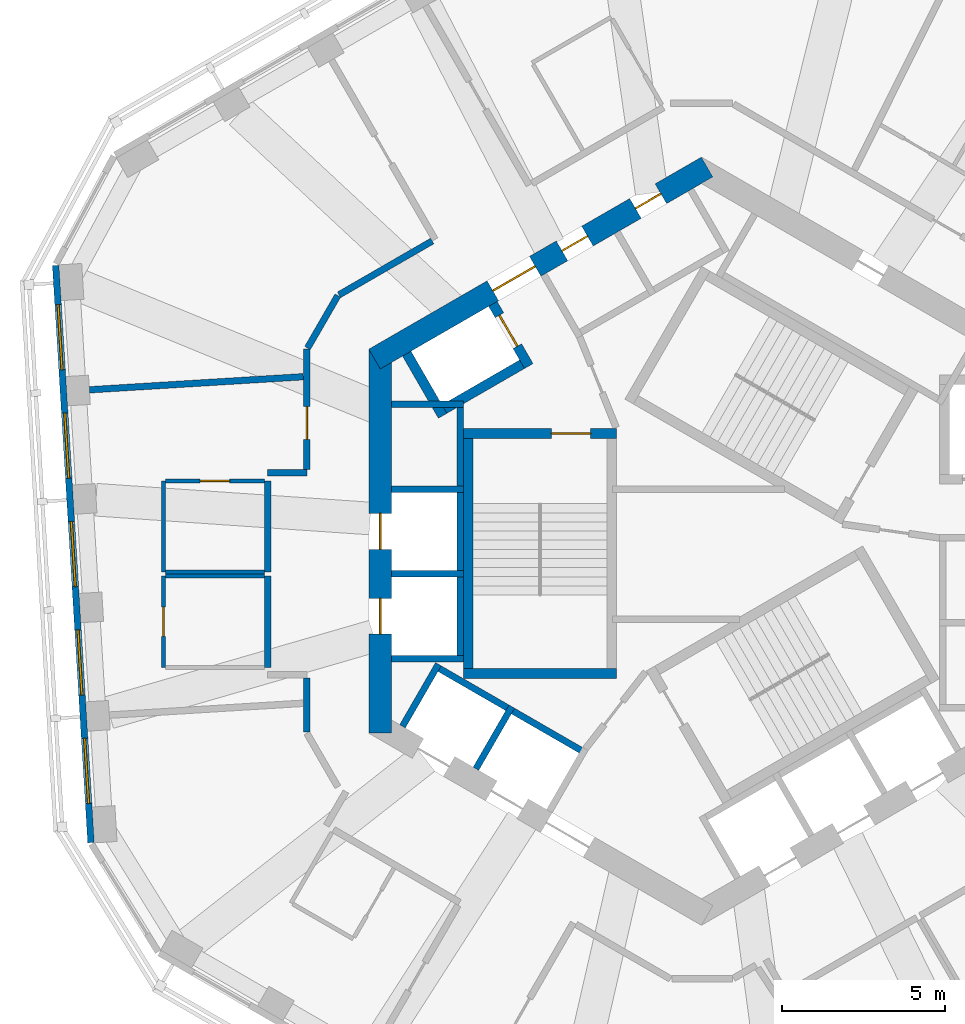
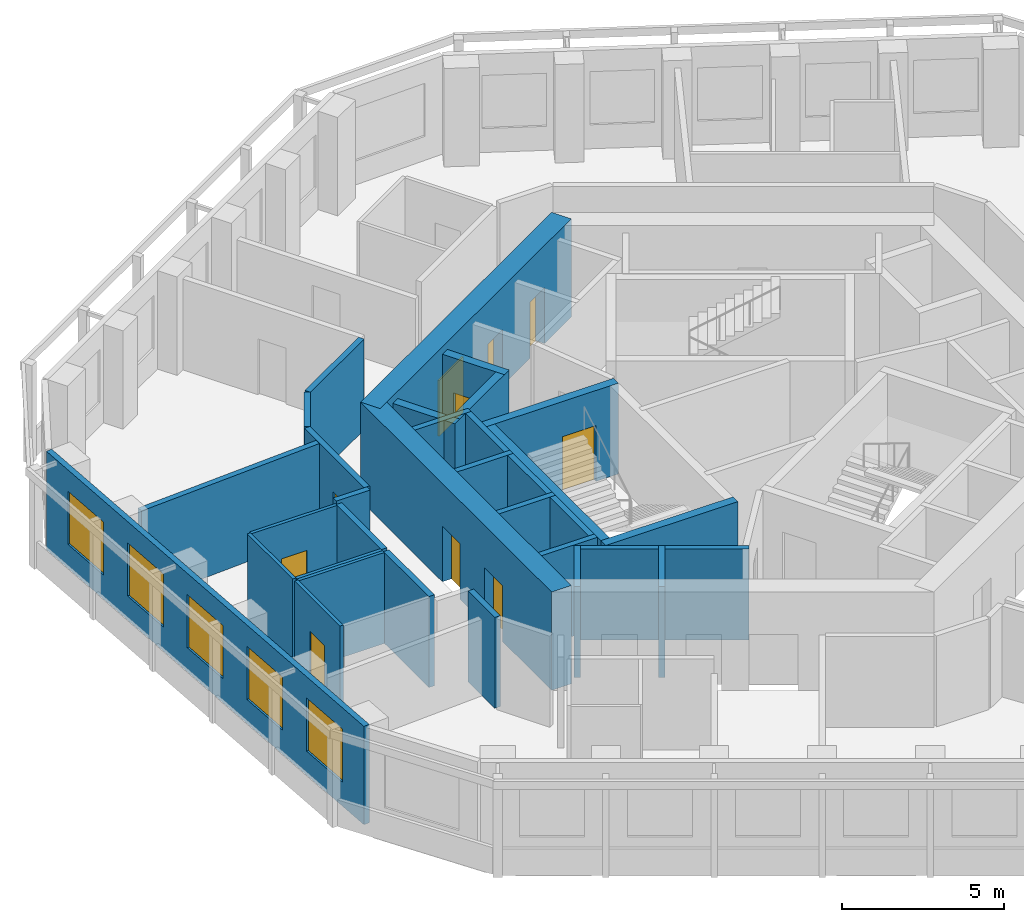
# One storey, part 5 of 11: 30 walls, 10 doors, 5 windows, 15 openings.
"""IFC4 building model written with IfcOpenShell, lengths in metres."""

import ifcopenshell
import ifcopenshell.guid

model = None  # the IFC model being written
_history = None  # IfcOwnerHistory: only IFC2X3 demands one
_inside = {}  # id of a spatial element -> (the spatial element, [elements in it])
_under = {}  # id of a project, library or spatial element -> (it, [spatial elements below it])
_declared = {}  # id of a project -> (the project, [libraries it declares])
_typed = {}  # id of a type object -> (the type object, [elements of that type])
_made_of = {}  # id of a material, layer set ... -> (it, [elements and type objects made of it])


def new_model(schema):
    """Start an empty IFC model of exactly this schema.

    Asked for "IFC4X3", IfcOpenShell would pick the latest addendum, in which some entities
    have other attributes; the version numbers below select the first issue.
    IFC2X3 requires an IfcOwnerHistory on every rooted entity: one is made here for all.
    """
    global model, _history
    if schema == "IFC4X3":
        model = ifcopenshell.file(schema_version=(4, 3, 0, 0))
    else:
        model = ifcopenshell.file(schema=schema)
    _inside.clear()
    _under.clear()
    _declared.clear()
    _typed.clear()
    _made_of.clear()
    _history = None
    if model.schema == "IFC2X3":
        org = make("IfcOrganization", Name="unknown")
        user = make(
            "IfcPersonAndOrganization",
            ThePerson=make("IfcPerson", FamilyName="unknown"),
            TheOrganization=org,
        )
        app = make(
            "IfcApplication",
            ApplicationDeveloper=org,
            Version="unknown",
            ApplicationFullName="unknown",
            ApplicationIdentifier="unknown",
        )
        _history = make(
            "IfcOwnerHistory",
            OwningUser=user,
            OwningApplication=app,
            ChangeAction="ADDED",
            CreationDate=0,
        )
    return model


def make(cls, **values):
    """One entity of the class cls with the attributes given. An attribute that is None is left unset."""
    return model.create_entity(
        cls, **{name: value for name, value in values.items() if value is not None}
    )


def rooted(cls, **values):
    """An entity with a GlobalId (a new one), such as an element, a storey or a relation."""
    return make(cls, GlobalId=ifcopenshell.guid.new(), OwnerHistory=_history, **values)


def si_unit(unit_type, name, prefix=None):
    """IfcSIUnit, for example si_unit("LENGTHUNIT", "METRE", prefix="MILLI")."""
    return make("IfcSIUnit", UnitType=unit_type, Prefix=prefix, Name=name)


def assignment(units):
    """IfcUnitAssignment: the units of a project."""
    return None if units is None else make("IfcUnitAssignment", Units=units)


def point(xyz):
    """IfcCartesianPoint."""
    return None if xyz is None else make("IfcCartesianPoint", Coordinates=xyz)


def direction(xyz):
    """IfcDirection."""
    return None if xyz is None else make("IfcDirection", DirectionRatios=xyz)


def frame(location, z_axis=None, x_axis=None):
    """IfcAxis2Placement3D, a coordinate frame: its origin and axes. An axis left out is left unset."""
    return make(
        "IfcAxis2Placement3D",
        Location=point(location),
        Axis=direction(z_axis),
        RefDirection=direction(x_axis),
    )


def frame_2d(location, x_axis=None):
    """IfcAxis2Placement2D, a coordinate frame in the plane: its origin and x axis."""
    return make(
        "IfcAxis2Placement2D", Location=point(location), RefDirection=direction(x_axis)
    )


def origin():
    """The frame at (0, 0, 0) with its axes left unset."""
    return frame((0.0, 0.0, 0.0))


def place(relative_to, where):
    """IfcLocalPlacement: puts the frame where relative to a parent placement (None: the world)."""
    return make(
        "IfcLocalPlacement", PlacementRelTo=relative_to, RelativePlacement=where
    )


def context(
    kind, dimensions, precision=None, world=None, true_north=None, identifier=None
):
    """IfcGeometricRepresentationContext, for example the 3D "Model" context."""
    return make(
        "IfcGeometricRepresentationContext",
        ContextIdentifier=identifier,
        ContextType=kind,
        CoordinateSpaceDimension=dimensions,
        Precision=precision,
        WorldCoordinateSystem=world,
        TrueNorth=true_north,
    )


def subcontext(parent, identifier, kind, view, scale=None):
    """IfcGeometricRepresentationSubContext, for example "Body" below "Model"."""
    return make(
        "IfcGeometricRepresentationSubContext",
        ContextIdentifier=identifier,
        ContextType=kind,
        ParentContext=parent,
        TargetScale=scale,
        TargetView=view,
    )


def project(units=None, contexts=None):
    """IfcProject with its units and contexts."""
    return rooted(
        "IfcProject",
        Name="project",
        RepresentationContexts=contexts,
        UnitsInContext=assignment(units),
    )


def spatial(cls, under=None, at=None, **own):
    """A site, building, storey or space (cls), placed at a placement, below another one or the project."""
    s = rooted(cls, ObjectPlacement=at, **own)
    if under is not None:
        _under.setdefault(under.id(), (under, []))[1].append(s)
    return s


def profile(cls, at=None, kind="AREA", **sizes):
    """A parametric profile (cls). Its sizes go by their IFC names, for example OverallWidth=200.0."""
    return make(cls, ProfileType=kind, Position=at, **sizes)


def rectangle(**sizes):
    """IfcRectangleProfileDef."""
    return profile("IfcRectangleProfileDef", **sizes)


def extrude(swept, where, along, depth):
    """IfcExtrudedAreaSolid: the profile swept, set in the frame where, extruded along a direction by depth."""
    return make(
        "IfcExtrudedAreaSolid",
        SweptArea=swept,
        Position=where,
        ExtrudedDirection=direction(along),
        Depth=depth,
    )


def shape(context_of_items, identifier, shape_type, items):
    """IfcShapeRepresentation: the items that make up one representation, for example the "Body"."""
    return make(
        "IfcShapeRepresentation",
        ContextOfItems=context_of_items,
        RepresentationIdentifier=identifier,
        RepresentationType=shape_type,
        Items=items,
    )


def material(Name=None, Category=None):
    """IfcMaterial."""
    return make("IfcMaterial", Name=Name, Category=Category)


def layer(
    of_material, thickness, ventilated=None, Name=None, Category=None, Priority=None
):
    """IfcMaterialLayer: one layer of a wall or slab, of a material (None: an air gap)."""
    return make(
        "IfcMaterialLayer",
        Material=of_material,
        LayerThickness=thickness,
        IsVentilated=ventilated,
        Name=Name,
        Category=Category,
        Priority=Priority,
    )


def layer_set(layers, Name=None):
    """IfcMaterialLayerSet."""
    return make("IfcMaterialLayerSet", MaterialLayers=layers, LayerSetName=Name)


def made_of(thing, what):
    """Note that an element or type object is made of a material, layer set ...; save() writes the relation."""
    if what is not None:
        _made_of.setdefault(what.id(), (what, []))[1].append(thing)
    return thing


def type_object(cls, material=None, **own):
    """A type object (cls), such as IfcWallType, which elements share."""
    return made_of(rooted(cls, **own), material)


def element(
    cls,
    number,
    at=None,
    inside=None,
    cuts=None,
    type_object=None,
    material=None,
    context=None,
    identifier="Body",
    shape_type=None,
    held_by="IfcProductDefinitionShape",
    body=None,
    shapes=None,
    **own,
):
    """One element of the class cls, such as IfcWall. Its Tag is "e" and its number.

    at: its placement. inside: the storey or other place that contains it. cuts: it is an
    opening in that element (IfcRelVoidsElement). A single representation is given by context,
    identifier, shape_type and body (its items); several are given by shapes. held_by: the class
    of the entity that holds the representations. save() writes the other relations.
    """
    e = rooted(cls, Tag="e%d" % number, ObjectPlacement=at, **own)
    if body is not None:
        shapes = [shape(context, identifier, shape_type, body)]
    if shapes is not None:
        e.Representation = make(held_by, Representations=shapes)
    if inside is not None:
        _inside.setdefault(inside.id(), (inside, []))[1].append(e)
    if cuts is not None:
        rooted(
            "IfcRelVoidsElement", RelatingBuildingElement=cuts, RelatedOpeningElement=e
        )
    if type_object is not None:
        _typed.setdefault(type_object.id(), (type_object, []))[1].append(e)
    return made_of(e, material)


def fill(opening, filler):
    """IfcRelFillsElement: the door or window that sits in an opening."""
    return rooted(
        "IfcRelFillsElement",
        RelatingOpeningElement=opening,
        RelatedBuildingElement=filler,
    )


def aggregate(whole, parts):
    """IfcRelAggregates: a whole, such as a stair, and the parts it consists of."""
    return rooted("IfcRelAggregates", RelatingObject=whole, RelatedObjects=parts)


def save(model, path):
    """Write the relations noted so far, then the file.

    IfcRelAggregates (storeys below a building ...), IfcRelContainedInSpatialStructure (elements
    in a storey), IfcRelDefinesByType, IfcRelAssociatesMaterial and IfcRelDeclares: one each for
    every whole, place, type object, material and project.
    """
    for whole, parts in _under.values():
        aggregate(whole, parts)
    for where, things in _inside.values():
        rooted(
            "IfcRelContainedInSpatialStructure",
            RelatedElements=things,
            RelatingStructure=where,
        )
    for kind, things in _typed.values():
        rooted("IfcRelDefinesByType", RelatedObjects=things, RelatingType=kind)
    for what, things in _made_of.values():
        rooted("IfcRelAssociatesMaterial", RelatedObjects=things, RelatingMaterial=what)
    for by, libraries in _declared.values():
        rooted("IfcRelDeclares", RelatingContext=by, RelatedDefinitions=libraries)
    model.write(path)


model = new_model("IFC4")

# Units and contexts
model_context = context("Model", 3, precision=1e-05, world=origin(), true_north=direction((0.0, 1.0)))
body_context = subcontext(model_context, "Body", "Model", "MODEL_VIEW")
ifc_project = project(units=[si_unit("LENGTHUNIT", "METRE"), si_unit("AREAUNIT", "SQUARE_METRE"), si_unit("VOLUMEUNIT", "CUBIC_METRE"), si_unit("PLANEANGLEUNIT", "RADIAN"), si_unit("MASSUNIT", "GRAM", prefix="KILO")], contexts=[model_context])

# Site, building, storey
site_placement = place(None, origin())
site = spatial("IfcSite", under=ifc_project, at=site_placement, CompositionType="ELEMENT")
building_placement = place(site_placement, origin())
building = spatial("IfcBuilding", under=site, at=building_placement, Name="Vanh Sen Convention Tower", CompositionType="ELEMENT")
storey_placement = place(building_placement, frame((0.0, 0.0, 270.89990234375)))
storey = spatial("IfcBuildingStorey", under=building, at=storey_placement, Name="L67", CompositionType="ELEMENT", Elevation=270.89990234375)

# Wall, opening, door
ifc_material_1 = material(Name="Moisture-resistant gypsum board on steel studs", Category="steel")
ifc_layer_1 = layer(ifc_material_1, 0.1201171875)
ifc_layer_set_1 = layer_set([ifc_layer_1], Name="Moisture-resistant gypsum board on steel studs")
wall_type_1 = type_object("IfcWallType", Name="Bathroom partition 120", PredefinedType="PARTITIONING", material=ifc_layer_set_1)
wall_1_placement = place(storey_placement, frame((-16.5009765625, -3.868896484375, 0.0), z_axis=(0.0, 0.0, 1.0), x_axis=(0.0, 1.0, 0.0)))
wall_1 = element("IfcWall", 1, at=wall_1_placement, inside=storey, type_object=wall_type_1, Name="Bathroom partition 120", PredefinedType="PARTITIONING", context=body_context, shape_type="SweptSolid", body=[
    extrude(rectangle(XDim=2.7998046875, YDim=0.1201171875, at=frame_2d((1.39990234375, 0.0))), origin(), (0.0, 0.0, 1.0), 3.420166015625),
])
opening_1_placement = place(wall_1_placement, frame((0.949951171875, 0.0, 0.0)))
opening_1 = element("IfcOpeningElement", 2, at=opening_1_placement, cuts=wall_1, Name="Opening D67111", PredefinedType="OPENING", context=body_context, shape_type="SweptSolid", body=[
    extrude(rectangle(XDim=0.89990234375, YDim=2.10009765625, at=frame_2d((0.449951171875, 1.050048828125))), frame((0.0, 0.070068359375, 0.0), z_axis=(0.0, -1.0, 0.0), x_axis=(1.0, 0.0, 0.0)), (0.0, 0.0, 1.0), 0.14013671875),
])
ifc_material_2 = material(Name="Laminate door in steel frame", Category="steel")
door_type_1 = type_object("IfcDoorType", Name="Room internal door 900", OperationType="SINGLE_SWING_LEFT", PredefinedType="DOOR", material=ifc_material_2)
door_1_placement = place(opening_1_placement, origin())
door_1 = element("IfcDoor", 3, at=door_1_placement, inside=storey, type_object=door_type_1, Name="Internal room door D67111", OperationType="SINGLE_SWING_LEFT", OverallHeight=2.10009765625, OverallWidth=0.89990234375, PredefinedType="DOOR", context=body_context, shape_type="SweptSolid", body=[
    extrude(rectangle(XDim=0.89990234375, YDim=2.10009765625, at=frame_2d((0.449951171875, 1.050048828125))), frame((0.0, 0.02490234375, 0.0), z_axis=(0.0, -1.0, 0.0), x_axis=(1.0, 0.0, 0.0)), (0.0, 0.0, 1.0), 0.050048828125),
])
fill(opening_1, door_1)

# Walls
wall_2_placement = place(storey_placement, frame((-16.5009765625, -0.948974609375, 0.0), z_axis=(0.0, 0.0, 1.0), x_axis=(0.0, 1.0, 0.0)))
element("IfcWall", 4, at=wall_2_placement, inside=storey, type_object=wall_type_1, Name="Bathroom partition 120", PredefinedType="PARTITIONING", context=body_context, shape_type="SweptSolid", body=[
    extrude(rectangle(XDim=2.800048828125, YDim=0.1201171875, at=frame_2d((1.39990234375, 0.0))), origin(), (0.0, 0.0, 1.0), 3.420166015625),
])
wall_3_placement = place(storey_placement, frame((-16.44091796875, -1.069091796875, 0.0), z_axis=(0.0, 0.0, 1.0), x_axis=(1.0, 0.0, 0.0)))
element("IfcWall", 5, at=wall_3_placement, inside=storey, type_object=wall_type_1, Name="Bathroom partition 120", PredefinedType="PARTITIONING", context=body_context, shape_type="SweptSolid", body=[
    extrude(rectangle(XDim=3.0400390625, YDim=0.1201171875, at=frame_2d((1.52001953125, 0.0))), origin(), (0.0, 0.0, 1.0), 3.420166015625),
])

# Wall, opening, door
wall_4_placement = place(storey_placement, frame((-16.44091796875, 1.85107421875, 0.0), z_axis=(0.0, 0.0, 1.0), x_axis=(1.0, 0.0, 0.0)))
wall_4 = element("IfcWall", 6, at=wall_4_placement, inside=storey, type_object=wall_type_1, Name="Bathroom partition 120", PredefinedType="PARTITIONING", context=body_context, shape_type="SweptSolid", body=[
    extrude(rectangle(XDim=3.0400390625, YDim=0.1201171875, at=frame_2d((1.52001953125, 0.0))), origin(), (0.0, 0.0, 1.0), 3.420166015625),
])
opening_2_placement = place(wall_4_placement, frame((1.070068359375, 0.0, 0.0)))
opening_2 = element("IfcOpeningElement", 7, at=opening_2_placement, cuts=wall_4, Name="Opening D67110", PredefinedType="OPENING", context=body_context, shape_type="SweptSolid", body=[
    extrude(rectangle(XDim=0.89990234375, YDim=2.10009765625, at=frame_2d((0.449951171875, 1.050048828125))), frame((0.0, 0.070068359375, 0.0), z_axis=(0.0, -1.0, 0.0), x_axis=(1.0, 0.0, 0.0)), (0.0, 0.0, 1.0), 0.14013671875),
])
door_2_placement = place(opening_2_placement, origin())
door_2 = element("IfcDoor", 8, at=door_2_placement, inside=storey, type_object=door_type_1, Name="Internal room door D67110", OperationType="SINGLE_SWING_LEFT", OverallHeight=2.10009765625, OverallWidth=0.89990234375, PredefinedType="DOOR", context=body_context, shape_type="SweptSolid", body=[
    extrude(rectangle(XDim=0.89990234375, YDim=2.10009765625, at=frame_2d((0.449951171875, 1.050048828125))), frame((0.0, 0.02490234375, 0.0), z_axis=(0.0, -1.0, 0.0), x_axis=(1.0, 0.0, 0.0)), (0.0, 0.0, 1.0), 0.050048828125),
])
fill(opening_2, door_2)

# Wall
wall_5_placement = place(storey_placement, frame((-13.40087890625, -0.948974609375, 0.0), z_axis=(0.0, 0.0, 1.0), x_axis=(-1.0, 0.0, 0.0)))
element("IfcWall", 9, at=wall_5_placement, inside=storey, type_object=wall_type_1, Name="Bathroom partition 120", PredefinedType="PARTITIONING", context=body_context, shape_type="SweptSolid", body=[
    extrude(rectangle(XDim=3.0400390625, YDim=0.1201171875, at=frame_2d((1.52001953125, 0.0))), origin(), (0.0, 0.0, 1.0), 3.420166015625),
])

# Wall, openings, doors
ifc_material_3 = material(Name="Concrete C60/75", Category="concrete")
ifc_layer_2 = layer(ifc_material_3, 0.699951171875)
ifc_layer_set_2 = layer_set([ifc_layer_2], Name="Concrete C60/75")
wall_type_2 = type_object("IfcWallType", Name="Core outer wall 700 C60/75", PredefinedType="SHEAR", material=ifc_layer_set_2)
wall_6_placement = place(storey_placement, frame((0.175048828125, 11.474853515625, 0.0), z_axis=(0.0, 0.0, 1.0), x_axis=(-0.866026453023, -0.499998182661, 0.0)))
wall_6 = element("IfcWall", 10, at=wall_6_placement, inside=storey, type_object=wall_type_2, Name="Core wall face NW L67", PredefinedType="SHEAR", context=body_context, shape_type="SweptSolid", body=[
    extrude(rectangle(XDim=11.77783203125, YDim=0.699951171875, at=frame_2d((5.888916015625, 0.0))), origin(), (0.0, 0.0, 1.0), 3.7001953125),
])
opening_3_placement = place(wall_6_placement, frame((6.089111328125, 0.0, 0.0)))
opening_3 = element("IfcOpeningElement", 11, at=opening_3_placement, cuts=wall_6, Name="Opening D67002", PredefinedType="OPENING", context=body_context, shape_type="SweptSolid", body=[
    extrude(rectangle(XDim=1.5, YDim=2.10009765625, at=frame_2d((0.75, 1.050048828125))), frame((0.0, 0.35986328125, 0.0), z_axis=(0.0, -1.0, 0.0), x_axis=(1.0, 0.0, 0.0)), (0.0, 0.0, 1.0), 0.719970703125),
])
opening_4_placement = place(wall_6_placement, frame((1.638916015625, 0.0, 0.0)))
opening_4 = element("IfcOpeningElement", 12, at=opening_4_placement, cuts=wall_6, Name="Opening D67013", PredefinedType="OPENING", context=body_context, shape_type="SweptSolid", body=[
    extrude(rectangle(XDim=0.89990234375, YDim=2.10009765625, at=frame_2d((0.449951171875, 1.050048828125))), frame((0.0, 0.35986328125, 0.0), z_axis=(0.0, -1.0, 0.0), x_axis=(1.0, 0.0, 0.0)), (0.0, 0.0, 1.0), 0.719970703125),
])
opening_5_placement = place(wall_6_placement, frame((4.239013671875, 0.0, 0.0)))
opening_5 = element("IfcOpeningElement", 13, at=opening_5_placement, cuts=wall_6, Name="Opening D67014", PredefinedType="OPENING", context=body_context, shape_type="SweptSolid", body=[
    extrude(rectangle(XDim=0.89990234375, YDim=2.10009765625, at=frame_2d((0.449951171875, 1.050048828125))), frame((0.0, 0.35986328125, 0.0), z_axis=(0.0, -1.0, 0.0), x_axis=(1.0, 0.0, 0.0)), (0.0, 0.0, 1.0), 0.719970703125),
])
ifc_material_4 = material(Name="Steel S355", Category="steel")
door_type_2 = type_object("IfcDoorType", Name="Plant door 900", OperationType="SINGLE_SWING_LEFT", PredefinedType="DOOR", material=ifc_material_4)
door_3_placement = place(opening_4_placement, origin())
door_3 = element("IfcDoor", 14, at=door_3_placement, inside=storey, type_object=door_type_2, Name="Plant door D67013", OperationType="SINGLE_SWING_LEFT", OverallHeight=2.10009765625, OverallWidth=0.89990234375, PredefinedType="DOOR", context=body_context, shape_type="SweptSolid", body=[
    extrude(rectangle(XDim=0.89990234375, YDim=2.10009765625, at=frame_2d((0.449951171875, 1.050048828125))), frame((0.0, 0.02490234375, 0.0), z_axis=(0.0, -1.0, 0.0), x_axis=(1.0, 0.0, 0.0)), (0.0, 0.0, 1.0), 0.050048828125),
])
fill(opening_4, door_3)
door_4_placement = place(opening_5_placement, origin())
door_4 = element("IfcDoor", 15, at=door_4_placement, inside=storey, type_object=door_type_2, Name="Plant door D67014", OperationType="SINGLE_SWING_LEFT", OverallHeight=2.10009765625, OverallWidth=0.89990234375, PredefinedType="DOOR", context=body_context, shape_type="SweptSolid", body=[
    extrude(rectangle(XDim=0.89990234375, YDim=2.10009765625, at=frame_2d((0.449951171875, 1.050048828125))), frame((0.0, 0.02490234375, 0.0), z_axis=(0.0, -1.0, 0.0), x_axis=(1.0, 0.0, 0.0)), (0.0, 0.0, 1.0), 0.050048828125),
])
fill(opening_5, door_4)
door_type_3 = type_object("IfcDoorType", Name="Stair lobby door 1500", OperationType="DOUBLE_DOOR_SINGLE_SWING", PredefinedType="DOOR", material=ifc_material_4)
door_5_placement = place(opening_3_placement, origin())
door_5 = element("IfcDoor", 16, at=door_5_placement, inside=storey, type_object=door_type_3, Name="Stair lobby door D67002", OperationType="DOUBLE_DOOR_SINGLE_SWING", OverallHeight=2.10009765625, OverallWidth=1.5, PredefinedType="DOOR", context=body_context, shape_type="SweptSolid", body=[
    extrude(rectangle(XDim=1.5, YDim=2.10009765625, at=frame_2d((0.75, 1.050048828125))), frame((0.0, 0.02490234375, 0.0), z_axis=(0.0, -1.0, 0.0), x_axis=(1.0, 0.0, 0.0)), (0.0, 0.0, 1.0), 0.050048828125),
])
fill(opening_3, door_5)

wall_7_placement = place(storey_placement, frame((-9.85009765625, 5.888916015625, 0.0), z_axis=(0.0, 0.0, 1.0), x_axis=(0.0, -1.0, 0.0)))
wall_7 = element("IfcWall", 17, at=wall_7_placement, inside=storey, type_object=wall_type_2, Name="Core wall face W L67", PredefinedType="SHEAR", context=body_context, shape_type="SweptSolid", body=[
    extrude(rectangle(XDim=11.77783203125, YDim=0.699951171875, at=frame_2d((5.888916015625, 0.0))), origin(), (0.0, 0.0, 1.0), 3.7001953125),
])
opening_6_placement = place(wall_7_placement, frame((5.0390625, 0.0, 0.0)))
opening_6 = element("IfcOpeningElement", 18, at=opening_6_placement, cuts=wall_7, Name="Opening LD-HR1", PredefinedType="OPENING", context=body_context, shape_type="SweptSolid", body=[
    extrude(rectangle(XDim=1.10009765625, YDim=2.10009765625, at=frame_2d((0.550048828125, 1.050048828125))), frame((0.0, 0.35986328125, 0.0), z_axis=(0.0, -1.0, 0.0), x_axis=(1.0, 0.0, 0.0)), (0.0, 0.0, 1.0), 0.719970703125),
])
opening_7_placement = place(wall_7_placement, frame((7.638916015625, 0.0, 0.0)))
opening_7 = element("IfcOpeningElement", 19, at=opening_7_placement, cuts=wall_7, Name="Opening LD-HR2", PredefinedType="OPENING", context=body_context, shape_type="SweptSolid", body=[
    extrude(rectangle(XDim=1.10009765625, YDim=2.10009765625, at=frame_2d((0.550048828125, 1.050048828125))), frame((0.0, 0.35986328125, 0.0), z_axis=(0.0, -1.0, 0.0), x_axis=(1.0, 0.0, 0.0)), (0.0, 0.0, 1.0), 0.719970703125),
])
ifc_material_5 = material(Name="Stainless steel", Category="steel")
door_type_4 = type_object("IfcDoorType", Name="Lift landing door 1100", OperationType="DOUBLE_DOOR_SLIDING", PredefinedType="DOOR", material=ifc_material_5)
door_6_placement = place(opening_6_placement, origin())
door_6 = element("IfcDoor", 20, at=door_6_placement, inside=storey, type_object=door_type_4, Name="Lift HR1 landing door LD-HR1", OperationType="DOUBLE_DOOR_SLIDING", OverallHeight=2.10009765625, OverallWidth=1.10009765625, PredefinedType="DOOR", context=body_context, shape_type="SweptSolid", body=[
    extrude(rectangle(XDim=1.10009765625, YDim=2.10009765625, at=frame_2d((0.550048828125, 1.050048828125))), frame((0.0, 0.02490234375, 0.0), z_axis=(0.0, -1.0, 0.0), x_axis=(1.0, 0.0, 0.0)), (0.0, 0.0, 1.0), 0.050048828125),
])
fill(opening_6, door_6)
door_7_placement = place(opening_7_placement, origin())
door_7 = element("IfcDoor", 21, at=door_7_placement, inside=storey, type_object=door_type_4, Name="Lift HR2 landing door LD-HR2", OperationType="DOUBLE_DOOR_SLIDING", OverallHeight=2.10009765625, OverallWidth=1.10009765625, PredefinedType="DOOR", context=body_context, shape_type="SweptSolid", body=[
    extrude(rectangle(XDim=1.10009765625, YDim=2.10009765625, at=frame_2d((0.550048828125, 1.050048828125))), frame((0.0, 0.02490234375, 0.0), z_axis=(0.0, -1.0, 0.0), x_axis=(1.0, 0.0, 0.0)), (0.0, 0.0, 1.0), 0.050048828125),
])
fill(opening_7, door_7)

# Walls
ifc_material_6 = material(Name="Gypsum board on steel studs with mineral wool", Category="steel")
ifc_layer_3 = layer(ifc_material_6, 0.199951171875)
ifc_layer_set_3 = layer_set([ifc_layer_3], Name="Gypsum board on steel studs with mineral wool")
wall_type_3 = type_object("IfcWallType", Name="Corridor partition wall 200", PredefinedType="PARTITIONING", material=ifc_layer_set_3)
wall_8_placement = place(storey_placement, frame((-13.301025390625, -1.069091796875, 0.0), z_axis=(0.0, 0.0, 1.0), x_axis=(0.0, -1.0, 0.0)))
element("IfcWall", 22, at=wall_8_placement, inside=storey, type_object=wall_type_3, Name="Corridor partition wall 200", PredefinedType="PARTITIONING", context=body_context, shape_type="SweptSolid", body=[
    extrude(rectangle(XDim=2.7998046875, YDim=0.199951171875, at=frame_2d((1.39990234375, 0.0))), origin(), (0.0, 0.0, 1.0), 3.420166015625),
])
wall_9_placement = place(storey_placement, frame((-13.301025390625, 1.85107421875, 0.0), z_axis=(0.0, 0.0, 1.0), x_axis=(0.0, -1.0, 0.0)))
element("IfcWall", 23, at=wall_9_placement, inside=storey, type_object=wall_type_3, Name="Corridor partition wall 200", PredefinedType="PARTITIONING", context=body_context, shape_type="SweptSolid", body=[
    extrude(rectangle(XDim=2.800048828125, YDim=0.199951171875, at=frame_2d((1.39990234375, 0.0))), origin(), (0.0, 0.0, 1.0), 3.420166015625),
])
wall_10_placement = place(storey_placement, frame((-12.10009765625, -4.200927734375, 0.0), z_axis=(0.0, 0.0, 1.0), x_axis=(0.0, -1.0, 0.0)))
element("IfcWall", 24, at=wall_10_placement, inside=storey, type_object=wall_type_3, Name="Corridor partition wall 200", PredefinedType="PARTITIONING", context=body_context, shape_type="SweptSolid", body=[
    extrude(rectangle(XDim=1.648193359375, YDim=0.199951171875, at=frame_2d((0.82421875, 0.0))), origin(), (0.0, 0.0, 1.0), 3.420166015625),
])
wall_11_placement = place(storey_placement, frame((-12.10009765625, 2.10107421875, 0.0), z_axis=(0.0, 0.0, 1.0), x_axis=(-1.0, 0.0, 0.0)))
element("IfcWall", 25, at=wall_11_placement, inside=storey, type_object=wall_type_3, Name="Corridor partition wall 200", PredefinedType="PARTITIONING", context=body_context, shape_type="SweptSolid", body=[
    extrude(rectangle(XDim=1.200927734375, YDim=0.199951171875, at=frame_2d((0.6005859375, 0.0))), origin(), (0.0, 0.0, 1.0), 3.420166015625),
])

# Wall, opening, door
wall_12_placement = place(storey_placement, frame((-12.10009765625, 5.888916015625, 0.0), z_axis=(0.0, 0.0, 1.0), x_axis=(0.0, -1.0, 0.0)))
wall_12 = element("IfcWall", 26, at=wall_12_placement, inside=storey, type_object=wall_type_3, Name="Corridor partition wall 200", PredefinedType="PARTITIONING", context=body_context, shape_type="SweptSolid", body=[
    extrude(rectangle(XDim=3.68798828125, YDim=0.199951171875, at=frame_2d((1.843994140625, 0.0))), origin(), (0.0, 0.0, 1.0), 3.420166015625),
])
opening_8_placement = place(wall_12_placement, frame((1.76318359375, 0.0, 0.0)))
opening_8 = element("IfcOpeningElement", 27, at=opening_8_placement, cuts=wall_12, Name="Opening D67109", PredefinedType="OPENING", context=body_context, shape_type="SweptSolid", body=[
    extrude(rectangle(XDim=1.0, YDim=2.10009765625, at=frame_2d((0.5, 1.050048828125))), frame((0.0, 0.10986328125, 0.0), z_axis=(0.0, -1.0, 0.0), x_axis=(1.0, 0.0, 0.0)), (0.0, 0.0, 1.0), 0.219970703125),
])
ifc_material_7 = material(Name="Glazed fire door in steel frame", Category="steel")
door_type_5 = type_object("IfcDoorType", Name="Tenant entrance door 1000", OperationType="SINGLE_SWING_LEFT", PredefinedType="DOOR", material=ifc_material_7)
door_8_placement = place(opening_8_placement, origin())
door_8 = element("IfcDoor", 28, at=door_8_placement, inside=storey, type_object=door_type_5, Name="Tenant suite entrance door D67109", OperationType="SINGLE_SWING_LEFT", OverallHeight=2.10009765625, OverallWidth=1.0, PredefinedType="DOOR", context=body_context, shape_type="SweptSolid", body=[
    extrude(rectangle(XDim=1.0, YDim=2.10009765625, at=frame_2d((0.5, 1.050048828125))), frame((0.0, 0.02490234375, 0.0), z_axis=(0.0, -1.0, 0.0), x_axis=(1.0, 0.0, 0.0)), (0.0, 0.0, 1.0), 0.050048828125),
])
fill(opening_8, door_8)

# Walls
wall_13_placement = place(storey_placement, frame((-11.14990234375, 7.534423828125, 0.0), z_axis=(0.0, 0.0, 1.0), x_axis=(-0.500063286585, -0.865988862174, 0.0)))
element("IfcWall", 29, at=wall_13_placement, inside=storey, type_object=wall_type_3, Name="Corridor partition wall 200", PredefinedType="PARTITIONING", context=body_context, shape_type="SweptSolid", body=[
    extrude(rectangle(XDim=1.860107421875, YDim=0.199951171875, at=frame_2d((0.93017578125, 0.0))), origin(), (0.0, 0.0, 1.0), 3.420166015625),
])
wall_14_placement = place(storey_placement, frame((-8.2568359375, 9.204833984375, 0.0), z_axis=(0.0, 0.0, 1.0), x_axis=(-0.866031626602, -0.49998922161, 0.0)))
element("IfcWall", 30, at=wall_14_placement, inside=storey, type_object=wall_type_3, Name="Corridor partition wall 200", PredefinedType="PARTITIONING", context=body_context, shape_type="SweptSolid", body=[
    extrude(rectangle(XDim=3.30078125, YDim=0.199951171875, at=frame_2d((1.650390625, 0.0))), origin(), (0.0, 0.0, 1.0), 3.420166015625),
])

# Wall, openings, windows
ifc_material_8 = material(Name="Insulated lightweight infill wall")
ifc_layer_4 = layer(ifc_material_8, 0.199951171875)
ifc_layer_set_4 = layer_set([ifc_layer_4], Name="Insulated lightweight infill wall")
wall_type_4 = type_object("IfcWallType", Name="External wall 200", PredefinedType="STANDARD", material=ifc_layer_set_4)
wall_15_placement = place(storey_placement, frame((-19.802978515625, 8.4541015625, 0.0), z_axis=(0.0, 0.0, 1.0), x_axis=(0.061036717565, -0.998135521414, 0.0)))
wall_15 = element("IfcWall", 31, at=wall_15_placement, inside=storey, type_object=wall_type_4, Name="External wall W L67", PredefinedType="STANDARD", context=body_context, shape_type="SweptSolid", body=[
    extrude(rectangle(XDim=17.7314453125, YDim=0.199951171875, at=frame_2d((8.86572265625, 0.0))), origin(), (0.0, 0.0, 1.0), 3.7001953125),
])
opening_9_placement = place(wall_15_placement, frame((1.20166015625, 0.0, 0.89990234375)))
opening_9 = element("IfcOpeningElement", 32, at=opening_9_placement, cuts=wall_15, Name="Opening WO5-W1", PredefinedType="OPENING", context=body_context, shape_type="SweptSolid", body=[
    extrude(rectangle(XDim=2.0, YDim=2.0, at=frame_2d((1.0, 1.0))), frame((0.0, 0.10986328125, 0.0), z_axis=(0.0, -1.0, 0.0), x_axis=(1.0, 0.0, 0.0)), (0.0, 0.0, 1.0), 0.219970703125),
])
opening_10_placement = place(wall_15_placement, frame((4.533203125, 0.0, 0.89990234375)))
opening_10 = element("IfcOpeningElement", 33, at=opening_10_placement, cuts=wall_15, Name="Opening WO5-W2", PredefinedType="OPENING", context=body_context, shape_type="SweptSolid", body=[
    extrude(rectangle(XDim=2.0, YDim=2.0, at=frame_2d((1.0, 1.0))), frame((0.0, 0.10986328125, 0.0), z_axis=(0.0, -1.0, 0.0), x_axis=(1.0, 0.0, 0.0)), (0.0, 0.0, 1.0), 0.219970703125),
])
opening_11_placement = place(wall_15_placement, frame((7.864990234375, 0.0, 0.89990234375)))
opening_11 = element("IfcOpeningElement", 34, at=opening_11_placement, cuts=wall_15, Name="Opening WO5-W3", PredefinedType="OPENING", context=body_context, shape_type="SweptSolid", body=[
    extrude(rectangle(XDim=2.0, YDim=2.0, at=frame_2d((1.0, 1.0))), frame((0.0, 0.10986328125, 0.0), z_axis=(0.0, -1.0, 0.0), x_axis=(1.0, 0.0, 0.0)), (0.0, 0.0, 1.0), 0.219970703125),
])
opening_12_placement = place(wall_15_placement, frame((11.196533203125, 0.0, 0.89990234375)))
opening_12 = element("IfcOpeningElement", 35, at=opening_12_placement, cuts=wall_15, Name="Opening WO5-W4", PredefinedType="OPENING", context=body_context, shape_type="SweptSolid", body=[
    extrude(rectangle(XDim=2.0, YDim=2.0, at=frame_2d((1.0, 1.0))), frame((0.0, 0.10986328125, 0.0), z_axis=(0.0, -1.0, 0.0), x_axis=(1.0, 0.0, 0.0)), (0.0, 0.0, 1.0), 0.219970703125),
])
opening_13_placement = place(wall_15_placement, frame((14.5283203125, 0.0, 0.89990234375)))
opening_13 = element("IfcOpeningElement", 36, at=opening_13_placement, cuts=wall_15, Name="Opening WO5-W5", PredefinedType="OPENING", context=body_context, shape_type="SweptSolid", body=[
    extrude(rectangle(XDim=2.0, YDim=2.0, at=frame_2d((1.0, 1.0))), frame((0.0, 0.10986328125, 0.0), z_axis=(0.0, -1.0, 0.0), x_axis=(1.0, 0.0, 0.0)), (0.0, 0.0, 1.0), 0.219970703125),
])
ifc_material_9 = material(Name="Aluminium frame with clear low-emissivity glass", Category="aluminium")
window_type = type_object("IfcWindowType", Name="Office window 2000 x 2000", PartitioningType="SINGLE_PANEL", PredefinedType="WINDOW", material=ifc_material_9)
window_1_placement = place(opening_9_placement, origin())
window_1 = element("IfcWindow", 37, at=window_1_placement, inside=storey, type_object=window_type, Name="Window WO5-W1", OverallHeight=2.0, OverallWidth=2.0, PartitioningType="SINGLE_PANEL", PredefinedType="WINDOW", context=body_context, shape_type="SweptSolid", body=[
    extrude(rectangle(XDim=2.0, YDim=2.0, at=frame_2d((1.0, 1.0))), frame((0.0, 0.030029296875, 0.0), z_axis=(0.0, -1.0, 0.0), x_axis=(1.0, 0.0, 0.0)), (0.0, 0.0, 1.0), 0.06005859375),
])
fill(opening_9, window_1)
window_2_placement = place(opening_10_placement, origin())
window_2 = element("IfcWindow", 38, at=window_2_placement, inside=storey, type_object=window_type, Name="Window WO5-W2", OverallHeight=2.0, OverallWidth=2.0, PartitioningType="SINGLE_PANEL", PredefinedType="WINDOW", context=body_context, shape_type="SweptSolid", body=[
    extrude(rectangle(XDim=2.0, YDim=2.0, at=frame_2d((1.0, 1.0))), frame((0.0, 0.030029296875, 0.0), z_axis=(0.0, -1.0, 0.0), x_axis=(1.0, 0.0, 0.0)), (0.0, 0.0, 1.0), 0.06005859375),
])
fill(opening_10, window_2)
window_3_placement = place(opening_11_placement, origin())
window_3 = element("IfcWindow", 39, at=window_3_placement, inside=storey, type_object=window_type, Name="Window WO5-W3", OverallHeight=2.0, OverallWidth=2.0, PartitioningType="SINGLE_PANEL", PredefinedType="WINDOW", context=body_context, shape_type="SweptSolid", body=[
    extrude(rectangle(XDim=2.0, YDim=2.0, at=frame_2d((1.0, 1.0))), frame((0.0, 0.030029296875, 0.0), z_axis=(0.0, -1.0, 0.0), x_axis=(1.0, 0.0, 0.0)), (0.0, 0.0, 1.0), 0.06005859375),
])
fill(opening_11, window_3)
window_4_placement = place(opening_12_placement, origin())
window_4 = element("IfcWindow", 40, at=window_4_placement, inside=storey, type_object=window_type, Name="Window WO5-W4", OverallHeight=2.0, OverallWidth=2.0, PartitioningType="SINGLE_PANEL", PredefinedType="WINDOW", context=body_context, shape_type="SweptSolid", body=[
    extrude(rectangle(XDim=2.0, YDim=2.0, at=frame_2d((1.0, 1.0))), frame((0.0, 0.030029296875, 0.0), z_axis=(0.0, -1.0, 0.0), x_axis=(1.0, 0.0, 0.0)), (0.0, 0.0, 1.0), 0.06005859375),
])
fill(opening_12, window_4)
window_5_placement = place(opening_13_placement, origin())
window_5 = element("IfcWindow", 41, at=window_5_placement, inside=storey, type_object=window_type, Name="Window WO5-W5", OverallHeight=2.0, OverallWidth=2.0, PartitioningType="SINGLE_PANEL", PredefinedType="WINDOW", context=body_context, shape_type="SweptSolid", body=[
    extrude(rectangle(XDim=2.0, YDim=2.0, at=frame_2d((1.0, 1.0))), frame((0.0, 0.030029296875, 0.0), z_axis=(0.0, -1.0, 0.0), x_axis=(1.0, 0.0, 0.0)), (0.0, 0.0, 1.0), 0.06005859375),
])
fill(opening_13, window_5)

# Wall, opening, door
ifc_layer_5 = layer(ifc_material_3, 0.300048828125)
ifc_layer_set_5 = layer_set([ifc_layer_5], Name="Concrete C60/75")
wall_type_5 = type_object("IfcWallType", Name="Fire-fighting lift shaft wall 300", PredefinedType="SHEAR", material=ifc_layer_set_5)
wall_16_placement = place(storey_placement, frame((-5.29541015625, 5.3720703125, 0.0), z_axis=(0.0, 0.0, 1.0), x_axis=(-0.500077893725, 0.86598042715, 0.0)))
wall_16 = element("IfcWall", 42, at=wall_16_placement, inside=storey, type_object=wall_type_5, Name="Fire-fighting lift shaft wall L67", PredefinedType="SHEAR", context=body_context, shape_type="SweptSolid", body=[
    extrude(rectangle(XDim=2.199951171875, YDim=0.300048828125, at=frame_2d((1.10009765625, 0.0))), origin(), (0.0, 0.0, 1.0), 3.420166015625),
])
opening_14_placement = place(wall_16_placement, frame((0.699951171875, 0.0, 0.0)))
opening_14 = element("IfcOpeningElement", 43, at=opening_14_placement, cuts=wall_16, Name="Opening LD-FF2", PredefinedType="OPENING", context=body_context, shape_type="SweptSolid", body=[
    extrude(rectangle(XDim=1.10009765625, YDim=2.10009765625, at=frame_2d((0.550048828125, 1.050048828125))), frame((0.0, 0.159912109375, 0.0), z_axis=(0.0, -1.0, 0.0), x_axis=(1.0, 0.0, 0.0)), (0.0, 0.0, 1.0), 0.320068359375),
])
door_type_6 = type_object("IfcDoorType", Name="Fire-fighting lift landing door 1100", OperationType="DOUBLE_DOOR_SLIDING", PredefinedType="DOOR", material=ifc_material_5)
door_9_placement = place(opening_14_placement, origin())
door_9 = element("IfcDoor", 44, at=door_9_placement, inside=storey, type_object=door_type_6, Name="Lift FF2 landing door LD-FF2", OperationType="DOUBLE_DOOR_SLIDING", OverallHeight=2.10009765625, OverallWidth=1.10009765625, PredefinedType="DOOR", context=body_context, shape_type="SweptSolid", body=[
    extrude(rectangle(XDim=1.10009765625, YDim=2.10009765625, at=frame_2d((0.550048828125, 1.050048828125))), frame((0.0, 0.02490234375, 0.0), z_axis=(0.0, -1.0, 0.0), x_axis=(1.0, 0.0, 0.0)), (0.0, 0.0, 1.0), 0.050048828125),
])
fill(opening_14, door_9)

# Walls
wall_17_placement = place(storey_placement, frame((-5.240478515625, 5.576904296875, 0.0), z_axis=(0.0, 0.0, 1.0), x_axis=(-0.866014461049, -0.500018952895, 0.0)))
element("IfcWall", 45, at=wall_17_placement, inside=storey, type_object=wall_type_5, Name="Fire-fighting lift shaft wall L67", PredefinedType="SHEAR", context=body_context, shape_type="SweptSolid", body=[
    extrude(rectangle(XDim=3.349853515625, YDim=0.300048828125, at=frame_2d((1.6748046875, 0.0))), origin(), (0.0, 0.0, 1.0), 3.420166015625),
])
wall_18_placement = place(storey_placement, frame((-7.936767578125, 3.846923828125, 0.0), z_axis=(0.0, 0.0, 1.0), x_axis=(-0.50002983664, 0.866008176907, 0.0)))
element("IfcWall", 46, at=wall_18_placement, inside=storey, type_object=wall_type_5, Name="Fire-fighting lift shaft wall L67", PredefinedType="SHEAR", context=body_context, shape_type="SweptSolid", body=[
    extrude(rectangle(XDim=2.199951171875, YDim=0.300048828125, at=frame_2d((1.10009765625, 0.0))), origin(), (0.0, 0.0, 1.0), 3.420166015625),
])
ifc_material_10 = material(Name="Concrete C40/50", Category="concrete")
ifc_layer_6 = layer(ifc_material_10, 0.199951171875)
ifc_layer_set_6 = layer_set([ifc_layer_6], Name="Concrete C40/50")
wall_type_6 = type_object("IfcWallType", Name="Lift shaft wall 200", PredefinedType="PARTITIONING", material=ifc_layer_set_6)
wall_19_placement = place(storey_placement, frame((-7.39990234375, 4.300048828125, 0.0), z_axis=(0.0, 0.0, 1.0), x_axis=(0.0, -1.0, 0.0)))
element("IfcWall", 47, at=wall_19_placement, inside=storey, type_object=wall_type_6, Name="Lift shaft wall L67", PredefinedType="PARTITIONING", context=body_context, shape_type="SweptSolid", body=[
    extrude(rectangle(XDim=8.0, YDim=0.199951171875, at=frame_2d((4.0, 0.0))), origin(), (0.0, 0.0, 1.0), 3.420166015625),
])
for number, where, z_axis, x_axis, name in (
    (48, (-7.300048828125, 4.199951171875, 0.0), (0.0, 0.0, 1.0), (-1.0, 0.0, 0.0), "Lift shaft wall L67"),
    (49, (-7.300048828125, 1.60009765625, 0.0), (0.0, 0.0, 1.0), (-1.0, 0.0, 0.0), "Lift shaft wall L67"),
    (50, (-7.300048828125, -1.0, 0.0), (0.0, 0.0, 1.0), (-1.0, 0.0, 0.0), "Lift shaft wall L67"),
    (51, (-7.300048828125, -3.60009765625, 0.0), (0.0, 0.0, 1.0), (-1.0, 0.0, 0.0), "Lift shaft wall L67"),
):
    element("IfcWall", number, at=place(storey_placement, frame(where, z_axis=z_axis, x_axis=x_axis)), inside=storey, type_object=wall_type_6, Name=name, PredefinedType="PARTITIONING", context=body_context, shape_type="SweptSolid", body=[
        extrude(rectangle(XDim=2.199951171875, YDim=0.199951171875, at=frame_2d((1.10009765625, 0.0))), origin(), (0.0, 0.0, 1.0), 3.420166015625),
    ])
wall_20_placement = place(storey_placement, frame((-8.203369140625, -3.80859375, 0.0), z_axis=(0.0, 0.0, 1.0), x_axis=(0.866028230842, -0.499995103361, 0.0)))
element("IfcWall", 52, at=wall_20_placement, inside=storey, type_object=wall_type_6, Name="Lift shaft wall L67", PredefinedType="PARTITIONING", context=body_context, shape_type="SweptSolid", body=[
    extrude(rectangle(XDim=5.39990234375, YDim=0.199951171875, at=frame_2d((2.699951171875, 0.0))), origin(), (0.0, 0.0, 1.0), 3.420166015625),
])
for number, where, z_axis, x_axis, name in (
    (53, (-8.066650390625, -3.77197265625, 0.0), (0.0, 0.0, 1.0), (-0.50002983664, -0.866008176907, 0.0), "Lift shaft wall L67"),
    (54, (-5.815185546875, -5.072021484375, 0.0), (0.0, 0.0, 1.0), (-0.499946605688, -0.86605622881, 0.0), "Lift shaft wall L67"),
):
    element("IfcWall", number, at=place(storey_placement, frame(where, z_axis=z_axis, x_axis=x_axis)), inside=storey, type_object=wall_type_6, Name=name, PredefinedType="PARTITIONING", context=body_context, shape_type="SweptSolid", body=[
        extrude(rectangle(XDim=2.199951171875, YDim=0.199951171875, at=frame_2d((1.10009765625, 0.0))), origin(), (0.0, 0.0, 1.0), 3.420166015625),
    ])

# Wall, opening, door
ifc_layer_7 = layer(ifc_material_3, 0.300048828125)
ifc_layer_set_7 = layer_set([ifc_layer_7], Name="Concrete C60/75")
wall_type_7 = type_object("IfcWallType", Name="Stair wall 300", PredefinedType="SHEAR", material=ifc_layer_set_7)
wall_21_placement = place(storey_placement, frame((-2.60009765625, 3.300048828125, 0.0), z_axis=(0.0, 0.0, 1.0), x_axis=(-1.0, 0.0, 0.0)))
wall_21 = element("IfcWall", 55, at=wall_21_placement, inside=storey, type_object=wall_type_7, Name="Stair wall L67", PredefinedType="SHEAR", context=body_context, shape_type="SweptSolid", body=[
    extrude(rectangle(XDim=4.699951171875, YDim=0.300048828125, at=frame_2d((2.35009765625, 0.0))), origin(), (0.0, 0.0, 1.0), 3.420166015625),
])
opening_15_placement = place(wall_21_placement, frame((0.800048828125, 0.0, 0.0)))
opening_15 = element("IfcOpeningElement", 56, at=opening_15_placement, cuts=wall_21, Name="Opening D67005", PredefinedType="OPENING", context=body_context, shape_type="SweptSolid", body=[
    extrude(rectangle(XDim=1.199951171875, YDim=2.10009765625, at=frame_2d((0.60009765625, 1.050048828125))), frame((0.0, 0.159912109375, 0.0), z_axis=(0.0, -1.0, 0.0), x_axis=(1.0, 0.0, 0.0)), (0.0, 0.0, 1.0), 0.320068359375),
])
door_type_7 = type_object("IfcDoorType", Name="Stair door 1200", OperationType="SINGLE_SWING_RIGHT", PredefinedType="DOOR", material=ifc_material_4)
door_10_placement = place(opening_15_placement, origin())
door_10 = element("IfcDoor", 57, at=door_10_placement, inside=storey, type_object=door_type_7, Name="Stair ST2 door D67005", OperationType="SINGLE_SWING_RIGHT", OverallHeight=2.10009765625, OverallWidth=1.199951171875, PredefinedType="DOOR", context=body_context, shape_type="SweptSolid", body=[
    extrude(rectangle(XDim=1.199951171875, YDim=2.10009765625, at=frame_2d((0.60009765625, 1.050048828125))), frame((0.0, 0.02490234375, 0.0), z_axis=(0.0, -1.0, 0.0), x_axis=(1.0, 0.0, 0.0)), (0.0, 0.0, 1.0), 0.050048828125),
])
fill(opening_15, door_10)

# Walls
wall_22_placement = place(storey_placement, frame((-2.60009765625, -4.06005859375, 0.0), z_axis=(0.0, 0.0, 1.0), x_axis=(-1.0, 0.0, 0.0)))
element("IfcWall", 58, at=wall_22_placement, inside=storey, type_object=wall_type_7, Name="Stair wall L67", PredefinedType="SHEAR", context=body_context, shape_type="SweptSolid", body=[
    extrude(rectangle(XDim=4.699951171875, YDim=0.300048828125, at=frame_2d((2.35009765625, 0.0))), origin(), (0.0, 0.0, 1.0), 3.420166015625),
])
wall_23_placement = place(storey_placement, frame((-7.14990234375, 3.14990234375, 0.0), z_axis=(0.0, 0.0, 1.0), x_axis=(0.0, -1.0, 0.0)))
element("IfcWall", 59, at=wall_23_placement, inside=storey, type_object=wall_type_7, Name="Stair wall L67", PredefinedType="SHEAR", context=body_context, shape_type="SweptSolid", body=[
    extrude(rectangle(XDim=7.059814453125, YDim=0.300048828125, at=frame_2d((3.52978515625, 0.0))), origin(), (0.0, 0.0, 1.0), 3.420166015625),
])
ifc_layer_8 = layer(ifc_material_6, 0.199951171875)
ifc_layer_set_8 = layer_set([ifc_layer_8], Name="Gypsum board on steel studs with mineral wool")
wall_type_8 = type_object("IfcWallType", Name="Tenant suite wall 200", PredefinedType="PARTITIONING", material=ifc_layer_set_8)
wall_24_placement = place(storey_placement, frame((-18.768310546875, 4.642822265625, 0.0), z_axis=(0.0, 0.0, 1.0), x_axis=(0.99813496285, 0.0610458511, 0.0)))
element("IfcWall", 60, at=wall_24_placement, inside=storey, type_object=wall_type_8, Name="Tenant suite wall 200", PredefinedType="PARTITIONING", context=body_context, shape_type="SweptSolid", body=[
    extrude(rectangle(XDim=6.57080078125, YDim=0.199951171875, at=frame_2d((3.285400390625, 0.0))), origin(), (0.0, 0.0, 1.0), 3.420166015625),
])

save(model, "model.ifc")
